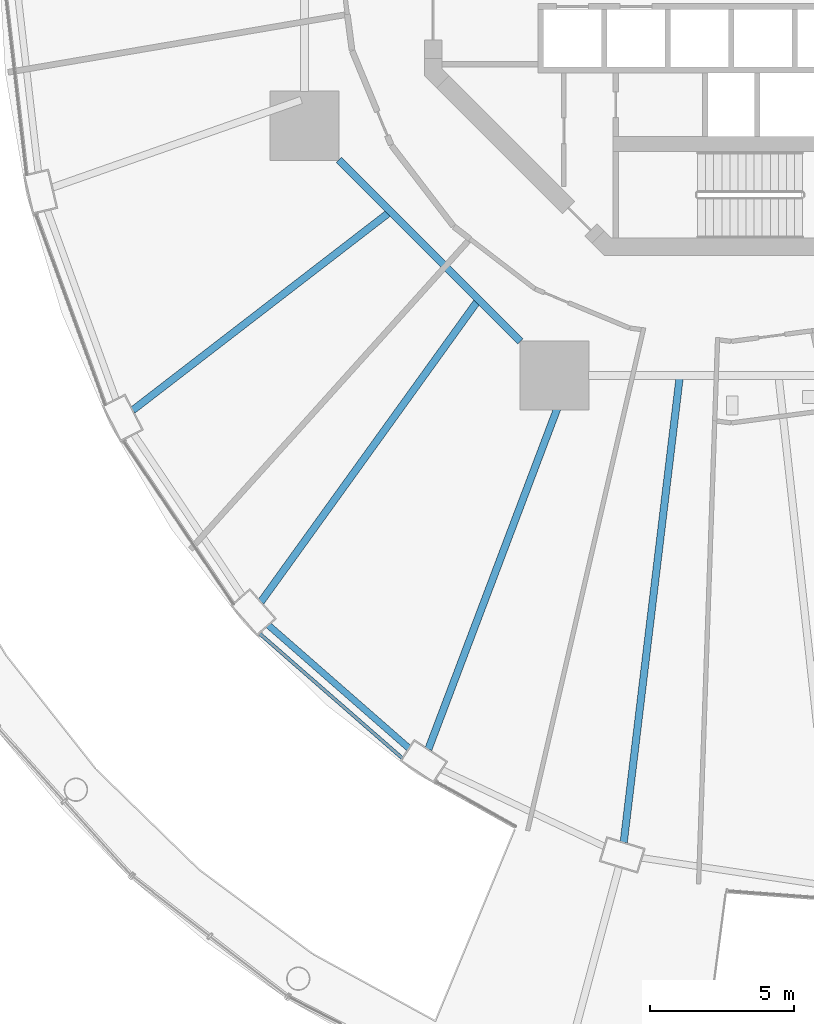
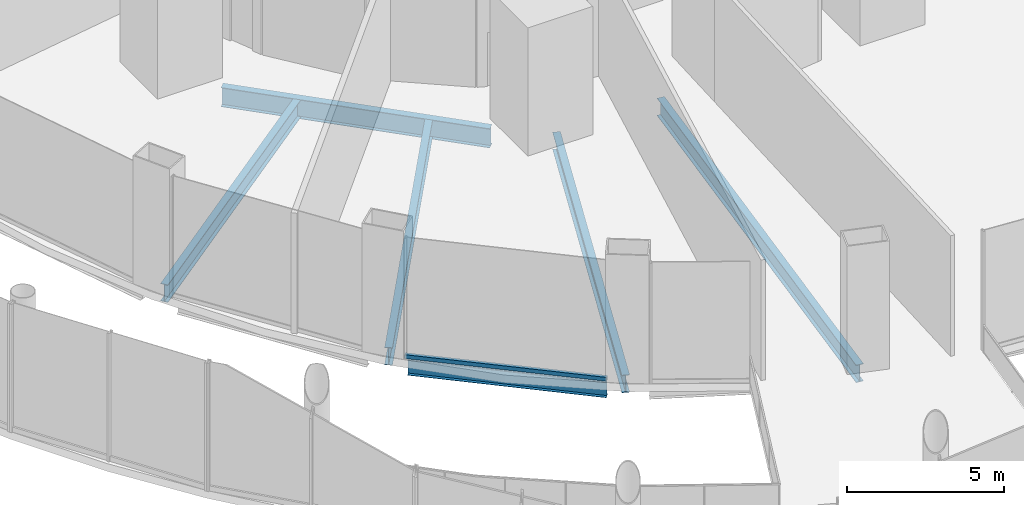
# One storey, part 7 of 48: 6 beams, 1 member, 1 element without a shape of its own.
"""IFC4 building model written with IfcOpenShell, lengths in metres."""

from ifc_helpers import new_model, si_unit, direction, frame, origin, origin_2d, place, context, subcontext, project, spatial, hollow_rectangle, i_section, extrude, material, layer, layer_set, material_profile, profile_set, type_object, element, aggregate, save


model = new_model("IFC4")

# Units and contexts
model_context = context("Model", 3, precision=1e-05, world=origin(), true_north=direction((0.0, 1.0)))
body_context = subcontext(model_context, "Body", "Model", "MODEL_VIEW")
ifc_project = project(units=[si_unit("LENGTHUNIT", "METRE"), si_unit("AREAUNIT", "SQUARE_METRE"), si_unit("VOLUMEUNIT", "CUBIC_METRE"), si_unit("PLANEANGLEUNIT", "RADIAN"), si_unit("MASSUNIT", "GRAM", prefix="KILO")], contexts=[model_context])

# Site, building, storey
site_placement = place(None, origin())
site = spatial("IfcSite", under=ifc_project, at=site_placement, CompositionType="ELEMENT")
building_placement = place(site_placement, origin())
building = spatial("IfcBuilding", under=site, at=building_placement, Name="Nagisa Residences", CompositionType="ELEMENT")
storey_placement = place(building_placement, frame((0.0, 0.0, 12.0)))
storey = spatial("IfcBuildingStorey", under=building, at=storey_placement, Name="L02", CompositionType="ELEMENT", Elevation=12.0)

# Curtain wall, member
ifc_material_1 = material(Name="Stainless steel curtain wall system", Category="steel")
ifc_layer = layer(ifc_material_1, 0.159912109375)
ifc_layer_set = layer_set([ifc_layer], Name="CW6 CURTAIN WALL")
curtain_wall_type = type_object("IfcCurtainWallType", Name="CW6 CURTAIN WALL", PredefinedType="NOTDEFINED", material=ifc_layer_set)
curtain_wall_placement = place(storey_placement, origin())
curtain_wall = element("IfcCurtainWall", 1, at=curtain_wall_placement, inside=storey, type_object=curtain_wall_type, Name="cw:CW6:L02:30", PredefinedType="NOTDEFINED")
ifc_material_2 = material(Name="Stainless steel", Category="steel")
ifc_material_profile_1 = material_profile(ifc_material_2, hollow_rectangle(XDim=0.1201171875, YDim=0.14990234375, WallThickness=0.008056640625, at=origin_2d()), Name="CW6 TRANSOM 120x150")
ifc_profile_set_1 = profile_set([ifc_material_profile_1], Name="Stainless steel")
member_type = type_object("IfcMemberType", Name="CW6 TRANSOM 120x150", PredefinedType="USERDEFINED", material=ifc_profile_set_1)
member_placement = place(storey_placement, frame((-16.326171875, -23.734619140625, 0.074951171875), z_axis=(0.753255020636, -0.657728571591, 0.0), x_axis=(0.657728571591, 0.753255020636, 0.0)))
member = element("IfcMember", 2, at=member_placement, type_object=member_type, Name="CW6 transom", ObjectType="TRANSOM", PredefinedType="USERDEFINED", context=body_context, shape_type="SweptSolid", body=[
    extrude(hollow_rectangle(XDim=0.1201171875, YDim=0.14990234375, WallThickness=0.008056640625, at=origin_2d()), origin(), (0.0, 0.0, 1.0), 6.5732421875),
])
aggregate(curtain_wall, [member])

# Beams
ifc_material_3 = material(Name="Steel ASTM A572 Gr 50", Category="steel")
ifc_material_profile_2 = material_profile(ifc_material_3, i_section(OverallWidth=0.264892578125, OverallDepth=0.7529296875, WebThickness=0.01318359375, FlangeThickness=0.01708984375, at=origin_2d()), Name="W760x147")
ifc_profile_set_2 = profile_set([ifc_material_profile_2], Name="Steel ASTM A572 Gr 50")
beam_type_1 = type_object("IfcBeamType", Name="Inner ring beam W760x147", PredefinedType="BEAM", material=ifc_profile_set_2)
beam_1_placement = place(storey_placement, frame((-13.59619140625, -7.308837890625, -0.676513671875), z_axis=(0.707106781187, -0.707106781187, 0.0), x_axis=(0.707106781187, 0.707106781187, 0.0)))
element("IfcBeam", 3, at=beam_1_placement, inside=storey, type_object=beam_type_1, Name="beam:L02:ib5", PredefinedType="BEAM", context=body_context, shape_type="SweptSolid", body=[
    extrude(i_section(OverallWidth=0.264892578125, OverallDepth=0.7529296875, WebThickness=0.01318359375, FlangeThickness=0.01708984375, at=origin_2d()), origin(), (0.0, 0.0, 1.0), 8.8916015625),
])
ifc_material_4 = material(Name="Steel ASTM A572 Gr 50", Category="steel")
ifc_material_profile_3 = material_profile(ifc_material_4, i_section(OverallWidth=0.22802734375, OverallDepth=0.60302734375, WebThickness=0.010498046875, FlangeThickness=0.014892578125, at=origin_2d()), Name="W610x101")
ifc_profile_set_3 = profile_set([ifc_material_profile_3], Name="Steel ASTM A572 Gr 50")
beam_type_2 = type_object("IfcBeamType", Name="Perimeter ring beam W610x101", PredefinedType="BEAM", material=ifc_profile_set_3)
beam_2_placement = place(storey_placement, frame((-16.0361328125, -23.432861328125, -0.6015625), z_axis=(0.752574357292, -0.658507279191, 0.0), x_axis=(0.658507279191, 0.752574357292, 0.0)))
element("IfcBeam", 4, at=beam_2_placement, inside=storey, type_object=beam_type_2, Name="beam:L02:pb16", PredefinedType="BEAM", context=body_context, shape_type="SweptSolid", body=[
    extrude(i_section(OverallWidth=0.22802734375, OverallDepth=0.60302734375, WebThickness=0.010498046875, FlangeThickness=0.014892578125, at=origin_2d()), origin(), (0.0, 0.0, 1.0), 6.47021484375),
])
ifc_material_5 = material(Name="Steel ASTM A572 Gr 50", Category="steel")
ifc_material_profile_4 = material_profile(ifc_material_5, i_section(OverallWidth=0.25390625, OverallDepth=0.68408203125, WebThickness=0.012451171875, FlangeThickness=0.018798828125, at=origin_2d()), Name="W690x140")
ifc_profile_set_4 = profile_set([ifc_material_profile_4], Name="Steel ASTM A572 Gr 50")
beam_type_3 = type_object("IfcBeamType", Name="Radial beam W690x140", PredefinedType="BEAM", material=ifc_profile_set_4)
beam_3_placement = place(storey_placement, frame((-20.73486328125, -15.982666015625, -0.64208984375), z_axis=(0.792016146736, 0.610500141941, 0.0), x_axis=(-0.610500141941, 0.792016146736, 0.0)))
element("IfcBeam", 5, at=beam_3_placement, inside=storey, type_object=beam_type_3, Name="beam:L02:rb15", PredefinedType="BEAM", context=body_context, shape_type="SweptSolid", body=[
    extrude(i_section(OverallWidth=0.25390625, OverallDepth=0.68408203125, WebThickness=0.012451171875, FlangeThickness=0.018798828125, at=origin_2d()), origin(), (0.0, 0.0, 1.0), 11.160888671875),
])
beam_4_placement = place(storey_placement, frame((-16.29443359375, -22.62255859375, -0.64208984375), z_axis=(0.58445507622, 0.811426068031, 0.0), x_axis=(-0.811426068031, 0.58445507622, 0.0)))
element("IfcBeam", 6, at=beam_4_placement, inside=storey, type_object=beam_type_3, Name="beam:L02:rb16", PredefinedType="BEAM", context=body_context, shape_type="SweptSolid", body=[
    extrude(i_section(OverallWidth=0.25390625, OverallDepth=0.68408203125, WebThickness=0.012451171875, FlangeThickness=0.018798828125, at=origin_2d()), origin(), (0.0, 0.0, 1.0), 12.78955078125),
])
beam_5_placement = place(storey_placement, frame((-10.493896484375, -27.7333984375, -0.64208984375), z_axis=(0.353887892206, 0.935287848606, 0.0), x_axis=(-0.935287848606, 0.353887892206, 0.0)))
element("IfcBeam", 7, at=beam_5_placement, inside=storey, type_object=beam_type_3, Name="beam:L02:rb17", PredefinedType="BEAM", context=body_context, shape_type="SweptSolid", body=[
    extrude(i_section(OverallWidth=0.25390625, OverallDepth=0.68408203125, WebThickness=0.012451171875, FlangeThickness=0.018798828125, at=origin_2d()), origin(), (0.0, 0.0, 1.0), 13.725830078125),
])
beam_6_placement = place(storey_placement, frame((-3.72412109375, -30.958740234375, -0.64208984375), z_axis=(0.119431411612, 0.992842453726, 0.0), x_axis=(-0.992842453726, 0.119431411612, 0.0)))
element("IfcBeam", 8, at=beam_6_placement, inside=storey, type_object=beam_type_3, Name="beam:L02:rb18", PredefinedType="BEAM", context=body_context, shape_type="SweptSolid", body=[
    extrude(i_section(OverallWidth=0.25390625, OverallDepth=0.68408203125, WebThickness=0.012451171875, FlangeThickness=0.018798828125, at=origin_2d()), origin(), (0.0, 0.0, 1.0), 16.1796875),
])

save(model, "model.ifc")
